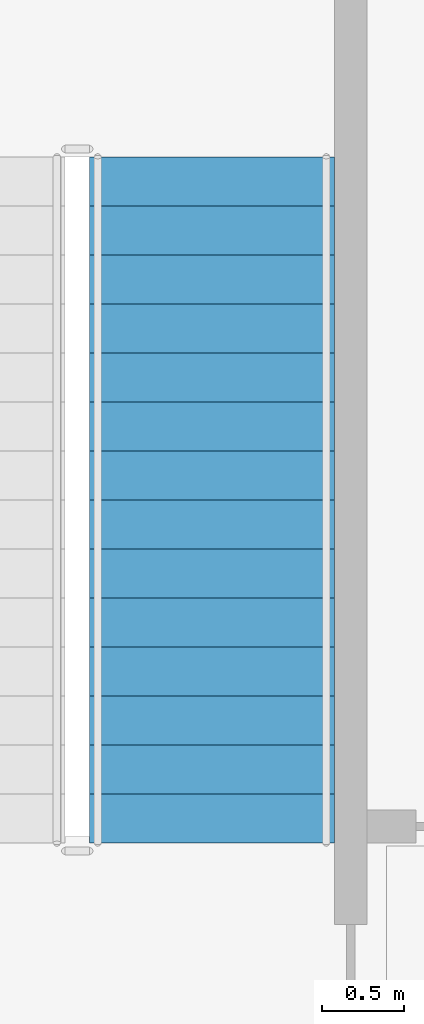
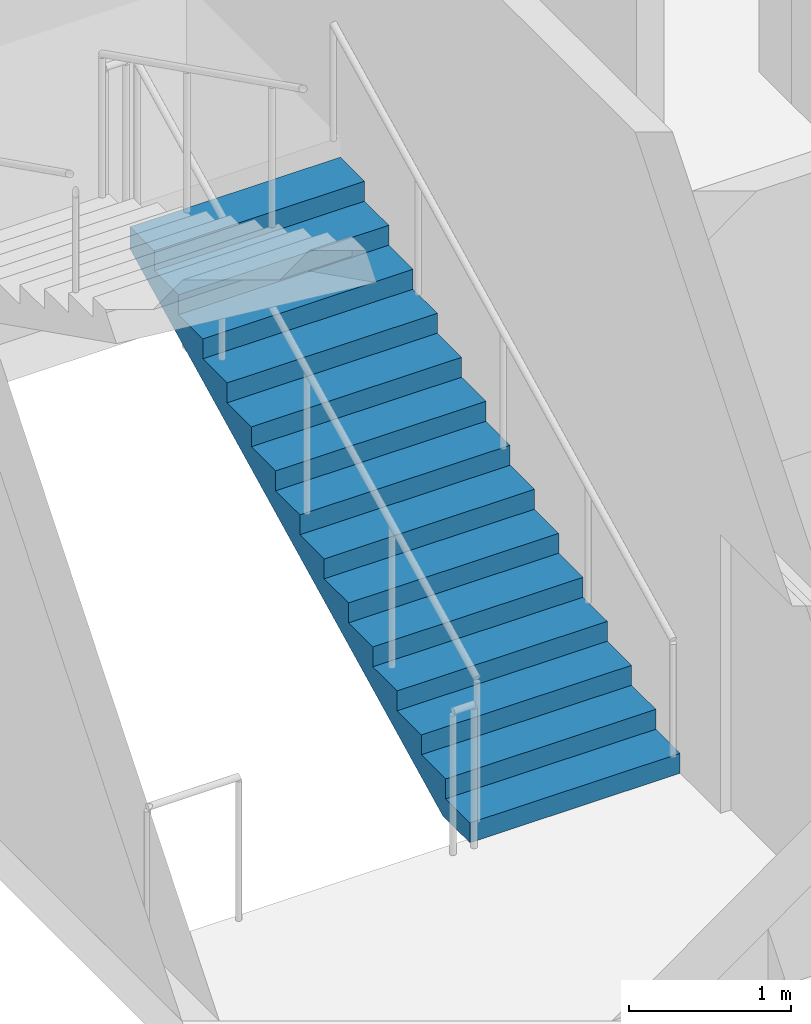
# One storey, part 14 of 19: 1 stair flight, 1 element without a shape of its own.
"""IFC4 building model written with IfcOpenShell, lengths in metres."""

from ifc_helpers import new_model, si_unit, direction, frame, origin, place, context, subcontext, project, spatial, polyline, outline, extrude, material, type_object, element, aggregate, save


model = new_model("IFC4")

# Units and contexts
model_context = context("Model", 3, precision=1e-05, world=origin(), true_north=direction((0.0, 1.0)))
body_context = subcontext(model_context, "Body", "Model", "MODEL_VIEW")
ifc_project = project(units=[si_unit("LENGTHUNIT", "METRE"), si_unit("AREAUNIT", "SQUARE_METRE"), si_unit("VOLUMEUNIT", "CUBIC_METRE"), si_unit("PLANEANGLEUNIT", "RADIAN"), si_unit("MASSUNIT", "GRAM", prefix="KILO")], contexts=[model_context])

# Site, building, storey
site_placement = place(None, origin())
site = spatial("IfcSite", under=ifc_project, at=site_placement, CompositionType="ELEMENT")
building_placement = place(site_placement, origin())
building = spatial("IfcBuilding", under=site, at=building_placement, Name="Kiln Court Media Centre", CompositionType="ELEMENT")
storey_placement = place(building_placement, frame((0.0, 0.0, 29.10009765625)))
storey = spatial("IfcBuildingStorey", under=building, at=storey_placement, Name="L06", CompositionType="ELEMENT", Elevation=29.10009765625)

# Stair, stair flight
ifc_material_1 = material(Name="Concrete C40/50", Category="concrete")
stair_type = type_object("IfcStairType", Name="Concrete C40/50 dog-leg stair 1500 wide, 150 riser", PredefinedType="HALF_TURN_STAIR", material=ifc_material_1)
stair_placement = place(storey_placement, origin())
stair = element("IfcStair", 1, at=stair_placement, inside=storey, type_object=stair_type, Name="ST-02 L06", PredefinedType="HALF_TURN_STAIR")
ifc_material_2 = material(Name="Concrete C40/50", Category="concrete")
stair_flight_type = type_object("IfcStairFlightType", Name="Concrete C40/50 stair flight 1500 wide, 150 riser, 300 going", PredefinedType="STRAIGHT", material=ifc_material_2)
stair_flight_placement = place(storey_placement, frame((3.25, 18.89990234375, 0.0), z_axis=(0.0, 0.0, 1.0), x_axis=(0.0, 1.0, 0.0)))
stair_flight = element("IfcStairFlight", 2, at=stair_flight_placement, type_object=stair_flight_type, Name="L06-ST-5001 flight 5002", NumberOfRisers=15, NumberOfTreads=14, PredefinedType="STRAIGHT", RiserHeight=0.15, TreadLength=0.3, context=body_context, shape_type="SweptSolid", body=[
    extrude(outline(polyline([(0.0, 0.0), (0.0, 0.14990234375), (0.300048828125, 0.14990234375), (0.300048828125, 0.300048828125), (0.60009765625, 0.300048828125), (0.60009765625, 0.449951171875), (0.89990234375, 0.449951171875), (0.89990234375, 0.60009765625), (1.199951171875, 0.60009765625), (1.199951171875, 0.75), (1.5, 0.75), (1.5, 0.89990234375), (1.800048828125, 0.89990234375), (1.800048828125, 1.050048828125), (2.10009765625, 1.050048828125), (2.10009765625, 1.199951171875), (2.39990234375, 1.199951171875), (2.39990234375, 1.35009765625), (2.699951171875, 1.35009765625), (2.699951171875, 1.5), (3.0, 1.5), (3.0, 1.64990234375), (3.300048828125, 1.64990234375), (3.300048828125, 1.800048828125), (3.60009765625, 1.800048828125), (3.60009765625, 1.949951171875), (3.89990234375, 1.949951171875), (3.89990234375, 2.10009765625), (4.199951171875, 2.10009765625), (4.199951171875, 2.25), (4.199951171875, 1.932373046875), (0.335205078125, 0.0), (0.0, 0.0)])), frame((0.0, 0.75, 0.0), z_axis=(0.0, -1.0, 0.0), x_axis=(1.0, 0.0, 0.0)), (0.0, 0.0, 1.0), 1.5),
])
aggregate(stair, [stair_flight])

save(model, "model.ifc")
